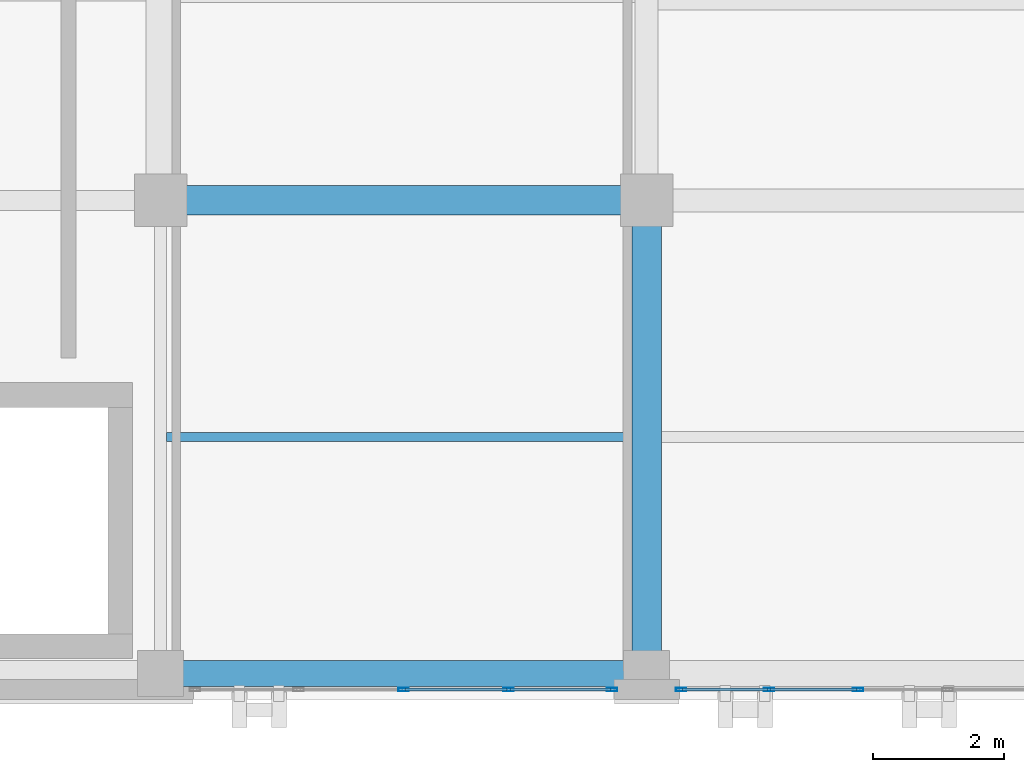
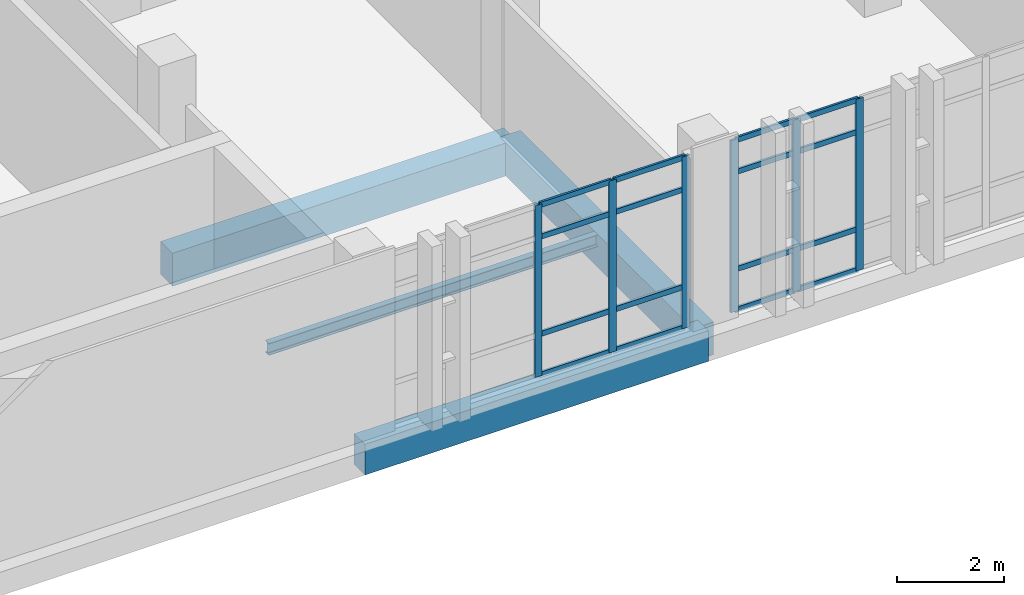
# One storey, part 115 of 193: 22 members, 4 beams, 2 elements without a shape of their own.
"""IFC4 building model written with IfcOpenShell, lengths in metres."""

from ifc_helpers import new_model, si_unit, direction, frame, origin, origin_2d, place, context, subcontext, project, spatial, rectangle, hollow_rectangle, i_section, extrude, material, layer, layer_set, material_profile, profile_set, type_object, element, aggregate, save


model = new_model("IFC4")

# Units and contexts
model_context = context("Model", 3, precision=1e-05, world=origin(), true_north=direction((0.0, 1.0)))
body_context = subcontext(model_context, "Body", "Model", "MODEL_VIEW")
ifc_project = project(units=[si_unit("LENGTHUNIT", "METRE"), si_unit("AREAUNIT", "SQUARE_METRE"), si_unit("VOLUMEUNIT", "CUBIC_METRE"), si_unit("PLANEANGLEUNIT", "RADIAN"), si_unit("MASSUNIT", "GRAM", prefix="KILO")], contexts=[model_context])

# Site, building, storey
site_placement = place(None, origin())
site = spatial("IfcSite", under=ifc_project, at=site_placement, CompositionType="ELEMENT")
building_placement = place(site_placement, origin())
building = spatial("IfcBuilding", under=site, at=building_placement, Name="Qalavern Law Courts", CompositionType="ELEMENT")
storey_placement = place(building_placement, frame((0.0, 0.0, 10.199951171875)))
storey = spatial("IfcBuildingStorey", under=building, at=storey_placement, Name="L02", CompositionType="ELEMENT", Elevation=10.199951171875)

# Curtain wall, members
ifc_material_1 = material(Name="Anodised aluminium and insulated glazing", Category="aluminium")
ifc_layer = layer(ifc_material_1, 0.172119140625)
ifc_layer_set = layer_set([ifc_layer], Name="Anodised aluminium and insulated glazing")
curtain_wall_type = type_object("IfcCurtainWallType", Name="ENV-CW-COURT", PredefinedType="USERDEFINED", material=ifc_layer_set)
curtain_wall_1_placement = place(storey_placement, origin())
curtain_wall_1 = element("IfcCurtainWall", 1, at=curtain_wall_1_placement, inside=storey, type_object=curtain_wall_type, Name="V6 unitised curtain wall L02 south 3", ObjectType="UNITISED CURTAIN WALL", PredefinedType="USERDEFINED")
ifc_material_2 = material(Name="Anodised aluminium", Category="aluminium")
ifc_material_profile_1 = material_profile(ifc_material_2, hollow_rectangle(XDim=0.048095703125, YDim=0.159912109375, WallThickness=0.00390625, at=origin_2d()), Name="ALU MULLION 48x160")
ifc_profile_set_1 = profile_set([ifc_material_profile_1], Name="Anodised aluminium")
member_type_1 = type_object("IfcMemberType", Name="ENV-CWM-48x160", PredefinedType="MULLION", material=ifc_profile_set_1)
member_1_placement = place(storey_placement, frame((130.5, 1.155029296875, 0.0), z_axis=(0.0, 0.0, 1.0), x_axis=(0.0, 1.0, 0.0)))
member_1 = element("IfcMember", 2, at=member_1_placement, type_object=member_type_1, Name="CW-03 mullion 3", PredefinedType="MULLION", context=body_context, shape_type="SweptSolid", body=[
    extrude(hollow_rectangle(XDim=0.048095703125, YDim=0.159912109375, WallThickness=0.00390625, at=origin_2d()), origin(), (0.0, 0.0, 1.0), 3.9150390625),
])
member_2_placement = place(storey_placement, frame((132.10009765625, 1.155029296875, 0.0), z_axis=(0.0, 0.0, 1.0), x_axis=(0.0, 1.0, 0.0)))
member_2 = element("IfcMember", 3, at=member_2_placement, type_object=member_type_1, Name="CW-03 mullion 4", PredefinedType="MULLION", context=body_context, shape_type="SweptSolid", body=[
    extrude(hollow_rectangle(XDim=0.048095703125, YDim=0.159912109375, WallThickness=0.00390625, at=origin_2d()), origin(), (0.0, 0.0, 1.0), 3.9150390625),
])
member_3_placement = place(storey_placement, frame((133.676025390625, 1.155029296875, 0.0), z_axis=(0.0, 0.0, 1.0), x_axis=(0.0, 1.0, 0.0)))
member_3 = element("IfcMember", 4, at=member_3_placement, type_object=member_type_1, Name="CW-03 mullion 5", PredefinedType="MULLION", context=body_context, shape_type="SweptSolid", body=[
    extrude(hollow_rectangle(XDim=0.048095703125, YDim=0.159912109375, WallThickness=0.00390625, at=origin_2d()), origin(), (0.0, 0.0, 1.0), 3.9150390625),
])

curtain_wall_2_placement = place(storey_placement, origin())
curtain_wall_2 = element("IfcCurtainWall", 5, at=curtain_wall_2_placement, inside=storey, type_object=curtain_wall_type, Name="V6 unitised curtain wall L02 south 4", ObjectType="UNITISED CURTAIN WALL", PredefinedType="USERDEFINED")
member_4_placement = place(storey_placement, frame((134.72412109375, 1.155029296875, 0.0), z_axis=(0.0, 0.0, 1.0), x_axis=(0.0, 1.0, 0.0)))
member_4 = element("IfcMember", 6, at=member_4_placement, type_object=member_type_1, Name="CW-03 mullion 1", PredefinedType="MULLION", context=body_context, shape_type="SweptSolid", body=[
    extrude(hollow_rectangle(XDim=0.048095703125, YDim=0.159912109375, WallThickness=0.00390625, at=origin_2d()), origin(), (0.0, 0.0, 1.0), 3.9150390625),
])
member_5_placement = place(storey_placement, frame((136.06005859375, 1.155029296875, 0.0), z_axis=(0.0, 0.0, 1.0), x_axis=(0.0, 1.0, 0.0)))
member_5 = element("IfcMember", 7, at=member_5_placement, type_object=member_type_1, Name="CW-03 mullion 2", PredefinedType="MULLION", context=body_context, shape_type="SweptSolid", body=[
    extrude(hollow_rectangle(XDim=0.048095703125, YDim=0.159912109375, WallThickness=0.00390625, at=origin_2d()), origin(), (0.0, 0.0, 1.0), 3.9150390625),
])
member_6_placement = place(storey_placement, frame((137.419921875, 1.155029296875, 0.0), z_axis=(0.0, 0.0, 1.0), x_axis=(0.0, 1.0, 0.0)))
member_6 = element("IfcMember", 8, at=member_6_placement, type_object=member_type_1, Name="CW-03 mullion 3", PredefinedType="MULLION", context=body_context, shape_type="SweptSolid", body=[
    extrude(hollow_rectangle(XDim=0.048095703125, YDim=0.159912109375, WallThickness=0.00390625, at=origin_2d()), origin(), (0.0, 0.0, 1.0), 3.9150390625),
])

# Member
ifc_material_profile_2 = material_profile(ifc_material_2, hollow_rectangle(XDim=0.048095703125, YDim=0.1201171875, WallThickness=0.00390625, at=origin_2d()), Name="ALU TRANSOM 48x120")
ifc_profile_set_2 = profile_set([ifc_material_profile_2], Name="Anodised aluminium")
member_type_2 = type_object("IfcMemberType", Name="ENV-CWT-48x120", PredefinedType="USERDEFINED", material=ifc_profile_set_2)
member_7_placement = place(storey_placement, frame((130.52392578125, 1.155029296875, 0.024169921875), z_axis=(1.0, 0.0, 0.0), x_axis=(0.0, 1.0, 0.0)))
member_7 = element("IfcMember", 9, at=member_7_placement, type_object=member_type_2, Name="CW-03 transom 3.1", ObjectType="TRANSOM", PredefinedType="USERDEFINED", context=body_context, shape_type="SweptSolid", body=[
    extrude(hollow_rectangle(XDim=0.048095703125, YDim=0.1201171875, WallThickness=0.00390625, at=origin_2d()), origin(), (0.0, 0.0, 1.0), 1.552001953125),
])

member_8_placement = place(storey_placement, frame((130.52392578125, 1.155029296875, 0.949951171875), z_axis=(1.0, 0.0, 0.0), x_axis=(0.0, 1.0, 0.0)))
member_8 = element("IfcMember", 10, at=member_8_placement, type_object=member_type_2, Name="CW-03 transom 3.2", ObjectType="TRANSOM", PredefinedType="USERDEFINED", context=body_context, shape_type="SweptSolid", body=[
    extrude(hollow_rectangle(XDim=0.048095703125, YDim=0.1201171875, WallThickness=0.00390625, at=origin_2d()), origin(), (0.0, 0.0, 1.0), 1.552001953125),
])

member_9_placement = place(storey_placement, frame((130.52392578125, 1.155029296875, 3.1650390625), z_axis=(1.0, 0.0, 0.0), x_axis=(0.0, 1.0, 0.0)))
member_9 = element("IfcMember", 11, at=member_9_placement, type_object=member_type_2, Name="CW-03 transom 3.3", ObjectType="TRANSOM", PredefinedType="USERDEFINED", context=body_context, shape_type="SweptSolid", body=[
    extrude(hollow_rectangle(XDim=0.048095703125, YDim=0.1201171875, WallThickness=0.00390625, at=origin_2d()), origin(), (0.0, 0.0, 1.0), 1.552001953125),
])

member_10_placement = place(storey_placement, frame((130.52392578125, 1.155029296875, 3.89111328125), z_axis=(1.0, 0.0, 0.0), x_axis=(0.0, 1.0, 0.0)))
member_10 = element("IfcMember", 12, at=member_10_placement, type_object=member_type_2, Name="CW-03 transom 3.4", ObjectType="TRANSOM", PredefinedType="USERDEFINED", context=body_context, shape_type="SweptSolid", body=[
    extrude(hollow_rectangle(XDim=0.048095703125, YDim=0.1201171875, WallThickness=0.00390625, at=origin_2d()), origin(), (0.0, 0.0, 1.0), 1.552001953125),
])

member_11_placement = place(storey_placement, frame((132.1240234375, 1.155029296875, 0.024169921875), z_axis=(1.0, 0.0, 0.0), x_axis=(0.0, 1.0, 0.0)))
member_11 = element("IfcMember", 13, at=member_11_placement, type_object=member_type_2, Name="CW-03 transom 4.1", ObjectType="TRANSOM", PredefinedType="USERDEFINED", context=body_context, shape_type="SweptSolid", body=[
    extrude(hollow_rectangle(XDim=0.048095703125, YDim=0.1201171875, WallThickness=0.00390625, at=origin_2d()), origin(), (0.0, 0.0, 1.0), 1.528076171875),
])

member_12_placement = place(storey_placement, frame((132.1240234375, 1.155029296875, 0.949951171875), z_axis=(1.0, 0.0, 0.0), x_axis=(0.0, 1.0, 0.0)))
member_12 = element("IfcMember", 14, at=member_12_placement, type_object=member_type_2, Name="CW-03 transom 4.2", ObjectType="TRANSOM", PredefinedType="USERDEFINED", context=body_context, shape_type="SweptSolid", body=[
    extrude(hollow_rectangle(XDim=0.048095703125, YDim=0.1201171875, WallThickness=0.00390625, at=origin_2d()), origin(), (0.0, 0.0, 1.0), 1.528076171875),
])

member_13_placement = place(storey_placement, frame((132.1240234375, 1.155029296875, 3.1650390625), z_axis=(1.0, 0.0, 0.0), x_axis=(0.0, 1.0, 0.0)))
member_13 = element("IfcMember", 15, at=member_13_placement, type_object=member_type_2, Name="CW-03 transom 4.3", ObjectType="TRANSOM", PredefinedType="USERDEFINED", context=body_context, shape_type="SweptSolid", body=[
    extrude(hollow_rectangle(XDim=0.048095703125, YDim=0.1201171875, WallThickness=0.00390625, at=origin_2d()), origin(), (0.0, 0.0, 1.0), 1.528076171875),
])

member_14_placement = place(storey_placement, frame((132.1240234375, 1.155029296875, 3.89111328125), z_axis=(1.0, 0.0, 0.0), x_axis=(0.0, 1.0, 0.0)))
member_14 = element("IfcMember", 16, at=member_14_placement, type_object=member_type_2, Name="CW-03 transom 4.4", ObjectType="TRANSOM", PredefinedType="USERDEFINED", context=body_context, shape_type="SweptSolid", body=[
    extrude(hollow_rectangle(XDim=0.048095703125, YDim=0.1201171875, WallThickness=0.00390625, at=origin_2d()), origin(), (0.0, 0.0, 1.0), 1.528076171875),
])

aggregate(curtain_wall_1, [member_1, member_2, member_3, member_7, member_8, member_9, member_10, member_11, member_12, member_13, member_14])

member_15_placement = place(storey_placement, frame((134.748046875, 1.155029296875, 0.024169921875), z_axis=(1.0, 0.0, 0.0), x_axis=(0.0, 1.0, 0.0)))
member_15 = element("IfcMember", 17, at=member_15_placement, type_object=member_type_2, Name="CW-03 transom 1.1", ObjectType="TRANSOM", PredefinedType="USERDEFINED", context=body_context, shape_type="SweptSolid", body=[
    extrude(hollow_rectangle(XDim=0.048095703125, YDim=0.1201171875, WallThickness=0.00390625, at=origin_2d()), origin(), (0.0, 0.0, 1.0), 1.287841796875),
])

member_16_placement = place(storey_placement, frame((134.748046875, 1.155029296875, 0.949951171875), z_axis=(1.0, 0.0, 0.0), x_axis=(0.0, 1.0, 0.0)))
member_16 = element("IfcMember", 18, at=member_16_placement, type_object=member_type_2, Name="CW-03 transom 1.2", ObjectType="TRANSOM", PredefinedType="USERDEFINED", context=body_context, shape_type="SweptSolid", body=[
    extrude(hollow_rectangle(XDim=0.048095703125, YDim=0.1201171875, WallThickness=0.00390625, at=origin_2d()), origin(), (0.0, 0.0, 1.0), 1.287841796875),
])

member_17_placement = place(storey_placement, frame((134.748046875, 1.155029296875, 3.1650390625), z_axis=(1.0, 0.0, 0.0), x_axis=(0.0, 1.0, 0.0)))
member_17 = element("IfcMember", 19, at=member_17_placement, type_object=member_type_2, Name="CW-03 transom 1.3", ObjectType="TRANSOM", PredefinedType="USERDEFINED", context=body_context, shape_type="SweptSolid", body=[
    extrude(hollow_rectangle(XDim=0.048095703125, YDim=0.1201171875, WallThickness=0.00390625, at=origin_2d()), origin(), (0.0, 0.0, 1.0), 1.287841796875),
])

member_18_placement = place(storey_placement, frame((134.748046875, 1.155029296875, 3.89111328125), z_axis=(1.0, 0.0, 0.0), x_axis=(0.0, 1.0, 0.0)))
member_18 = element("IfcMember", 20, at=member_18_placement, type_object=member_type_2, Name="CW-03 transom 1.4", ObjectType="TRANSOM", PredefinedType="USERDEFINED", context=body_context, shape_type="SweptSolid", body=[
    extrude(hollow_rectangle(XDim=0.048095703125, YDim=0.1201171875, WallThickness=0.00390625, at=origin_2d()), origin(), (0.0, 0.0, 1.0), 1.287841796875),
])

member_19_placement = place(storey_placement, frame((136.083984375, 1.155029296875, 0.024169921875), z_axis=(1.0, 0.0, 0.0), x_axis=(0.0, 1.0, 0.0)))
member_19 = element("IfcMember", 21, at=member_19_placement, type_object=member_type_2, Name="CW-03 transom 2.1", ObjectType="TRANSOM", PredefinedType="USERDEFINED", context=body_context, shape_type="SweptSolid", body=[
    extrude(hollow_rectangle(XDim=0.048095703125, YDim=0.1201171875, WallThickness=0.00390625, at=origin_2d()), origin(), (0.0, 0.0, 1.0), 1.31201171875),
])

member_20_placement = place(storey_placement, frame((136.083984375, 1.155029296875, 0.949951171875), z_axis=(1.0, 0.0, 0.0), x_axis=(0.0, 1.0, 0.0)))
member_20 = element("IfcMember", 22, at=member_20_placement, type_object=member_type_2, Name="CW-03 transom 2.2", ObjectType="TRANSOM", PredefinedType="USERDEFINED", context=body_context, shape_type="SweptSolid", body=[
    extrude(hollow_rectangle(XDim=0.048095703125, YDim=0.1201171875, WallThickness=0.00390625, at=origin_2d()), origin(), (0.0, 0.0, 1.0), 1.31201171875),
])

member_21_placement = place(storey_placement, frame((136.083984375, 1.155029296875, 3.1650390625), z_axis=(1.0, 0.0, 0.0), x_axis=(0.0, 1.0, 0.0)))
member_21 = element("IfcMember", 23, at=member_21_placement, type_object=member_type_2, Name="CW-03 transom 2.3", ObjectType="TRANSOM", PredefinedType="USERDEFINED", context=body_context, shape_type="SweptSolid", body=[
    extrude(hollow_rectangle(XDim=0.048095703125, YDim=0.1201171875, WallThickness=0.00390625, at=origin_2d()), origin(), (0.0, 0.0, 1.0), 1.31201171875),
])

member_22_placement = place(storey_placement, frame((136.083984375, 1.155029296875, 3.89111328125), z_axis=(1.0, 0.0, 0.0), x_axis=(0.0, 1.0, 0.0)))
member_22 = element("IfcMember", 24, at=member_22_placement, type_object=member_type_2, Name="CW-03 transom 2.4", ObjectType="TRANSOM", PredefinedType="USERDEFINED", context=body_context, shape_type="SweptSolid", body=[
    extrude(hollow_rectangle(XDim=0.048095703125, YDim=0.1201171875, WallThickness=0.00390625, at=origin_2d()), origin(), (0.0, 0.0, 1.0), 1.31201171875),
])

aggregate(curtain_wall_2, [member_4, member_5, member_6, member_15, member_16, member_17, member_18, member_19, member_20, member_21, member_22])

# Beams
ifc_material_3 = material(Name="Concrete C40/50", Category="concrete")
ifc_material_profile_3 = material_profile(ifc_material_3, rectangle(XDim=0.449951171875, YDim=0.75, at=origin_2d()), Name="RC 450x750")
ifc_profile_set_3 = profile_set([ifc_material_profile_3], Name="Concrete C40/50")
beam_type_1 = type_object("IfcBeamType", Name="STR-BM-RC450x750", PredefinedType="BEAM", material=ifc_profile_set_3)
beam_1_placement = place(storey_placement, frame((126.800048828125, 8.60009765625, -0.6650390625), z_axis=(1.0, 0.0, 0.0), x_axis=(0.0, 1.0, 0.0)))
element("IfcBeam", 25, at=beam_1_placement, inside=storey, type_object=beam_type_1, Name="V6 X-beam 2-4 L02", PredefinedType="BEAM", context=body_context, shape_type="SweptSolid", body=[
    extrude(rectangle(XDim=0.449951171875, YDim=0.75, at=origin_2d()), origin(), (0.0, 0.0, 1.0), 7.39990234375),
])
beam_2_placement = place(storey_placement, frame((134.199951171875, 1.39990234375, -0.6650390625), z_axis=(0.0, 1.0, 0.0), x_axis=(-1.0, 0.0, 0.0)))
element("IfcBeam", 26, at=beam_2_placement, inside=storey, type_object=beam_type_1, Name="V6 Y-beam 5-1 L02", PredefinedType="BEAM", context=body_context, shape_type="SweptSolid", body=[
    extrude(rectangle(XDim=0.449951171875, YDim=0.75, at=origin_2d()), origin(), (0.0, 0.0, 1.0), 7.2001953125),
])
ifc_material_4 = material(Name="Steel S355", Category="steel")
ifc_material_profile_4 = material_profile(ifc_material_4, i_section(OverallWidth=0.135009765625, OverallDepth=0.27001953125, WebThickness=0.006591796875, FlangeThickness=0.01025390625, FilletRadius=0.014892578125, at=origin_2d()), Name="IPE 270")
ifc_profile_set_4 = profile_set([ifc_material_profile_4], Name="Steel S355")
beam_type_2 = type_object("IfcBeamType", Name="STR-JST-IPE270", PredefinedType="JOIST", material=ifc_profile_set_4)
beam_3_placement = place(storey_placement, frame((126.887939453125, 5.0, -0.425048828125), z_axis=(1.0, 0.0, 0.0), x_axis=(0.0, 1.0, 0.0)))
element("IfcBeam", 27, at=beam_3_placement, inside=storey, type_object=beam_type_2, Name="V6 secondary joist 4.1.1 L02", PredefinedType="JOIST", context=body_context, shape_type="SweptSolid", body=[
    extrude(i_section(OverallWidth=0.135009765625, OverallDepth=0.27001953125, WebThickness=0.006591796875, FlangeThickness=0.01025390625, FilletRadius=0.014892578125, at=origin_2d()), origin(), (0.0, 0.0, 1.0), 7.089111328125),
])
ifc_material_profile_5 = material_profile(ifc_material_3, rectangle(XDim=0.39990234375, YDim=0.699951171875, at=origin_2d()), Name="RC 400x700")
ifc_profile_set_5 = profile_set([ifc_material_profile_5], Name="Concrete C40/50")
beam_type_3 = type_object("IfcBeamType", Name="STR-SP-RC400x700", PredefinedType="SPANDREL", material=ifc_profile_set_5)
beam_4_placement = place(storey_placement, frame((126.800048828125, 1.39990234375, -0.639892578125), z_axis=(1.0, 0.0, 0.0), x_axis=(0.0, 1.0, 0.0)))
element("IfcBeam", 28, at=beam_4_placement, inside=storey, type_object=beam_type_3, Name="V6 X-beam 1-4 L02", PredefinedType="SPANDREL", context=body_context, shape_type="SweptSolid", body=[
    extrude(rectangle(XDim=0.39990234375, YDim=0.699951171875, at=origin_2d()), origin(), (0.0, 0.0, 1.0), 7.39990234375),
])

save(model, "model.ifc")
